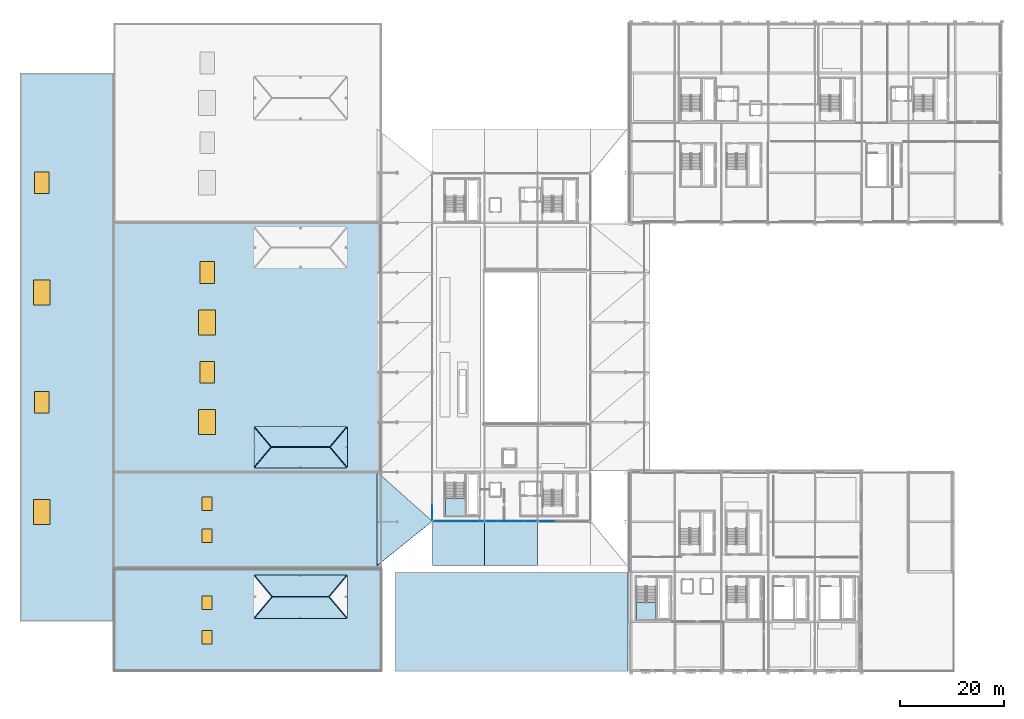
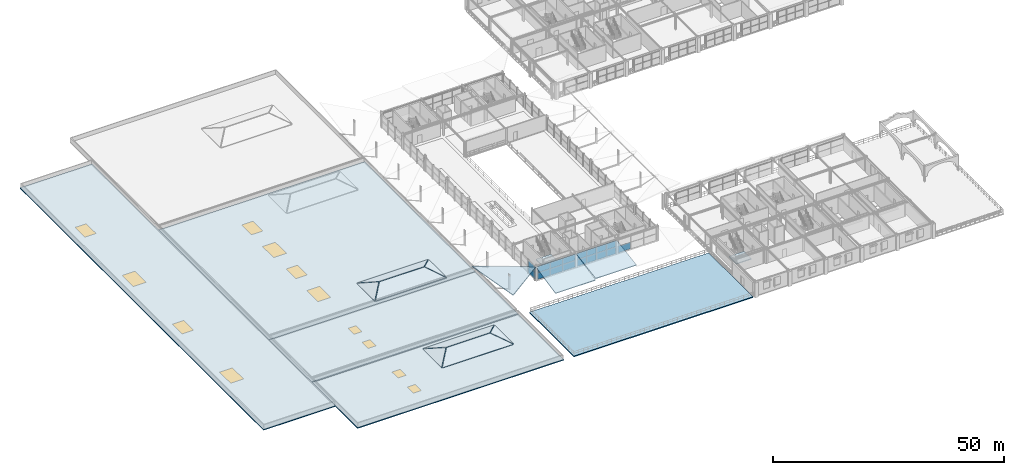
# One storey, part 34 of 81: 18 slabs, 17 plates, 12 windows, 12 openings, 6 elements without a shape of their own.
"""IFC4 building model written with IfcOpenShell, lengths in metres."""

from ifc_helpers import new_model, si_unit, direction, frame, origin, origin_2d, place, context, subcontext, project, spatial, polyline, rectangle, outline, extrude, material, layer, layer_set, type_object, element, fill, aggregate, save


model = new_model("IFC4")

# Units and contexts
model_context = context("Model", 3, precision=1e-05, world=origin(), true_north=direction((0.0, 1.0)))
body_context = subcontext(model_context, "Body", "Model", "MODEL_VIEW")
ifc_project = project(units=[si_unit("LENGTHUNIT", "METRE"), si_unit("AREAUNIT", "SQUARE_METRE"), si_unit("VOLUMEUNIT", "CUBIC_METRE"), si_unit("PLANEANGLEUNIT", "RADIAN"), si_unit("MASSUNIT", "GRAM", prefix="KILO")], contexts=[model_context])

# Site, building, storey
site_placement = place(None, origin())
site = spatial("IfcSite", under=ifc_project, at=site_placement, CompositionType="ELEMENT")
building_placement = place(site_placement, origin())
building = spatial("IfcBuilding", under=site, at=building_placement, Name="Myrtia Square Station", CompositionType="ELEMENT")
storey_placement = place(building_placement, frame((0.0, 0.0, 10.800048828125)))
storey = spatial("IfcBuildingStorey", under=building, at=storey_placement, Name="L02", CompositionType="ELEMENT", Elevation=10.800048828125)

# Curtain wall, plates
ifc_material_1 = material(Name="Dark bronze anodised aluminium", Category="aluminium")
ifc_layer_1 = layer(ifc_material_1, 0.159912109375, Name="Dark bronze anodised aluminium")
ifc_layer_set_1 = layer_set([ifc_layer_1], Name="Dark bronze anodised aluminium")
curtain_wall_type_1 = type_object("IfcCurtainWallType", Name="CW-TYPE-13-980x355", PredefinedType="USERDEFINED", material=ifc_layer_set_1)
curtain_wall_1_placement = place(storey_placement, origin())
curtain_wall_1 = element("IfcCurtainWall", 1, at=curtain_wall_1_placement, inside=storey, type_object=curtain_wall_type_1, Name="Concourse curtain wall CW-L02-049", ObjectType="CONCOURSE CURTAIN WALL", PredefinedType="USERDEFINED")
ifc_material_2 = material(Name="Tinted low-E solar control glass", Category="glass")
ifc_layer_2 = layer(ifc_material_2, 0.02392578125, Name="Tinted low-E solar control glass")
ifc_layer_set_2 = layer_set([ifc_layer_2], Name="Tinted low-E solar control glass")
plate_type_1 = type_object("IfcPlateType", Name="CWP-GLZ-24", PredefinedType="CURTAIN_PANEL", material=ifc_layer_set_2)
plate_1_placement = place(storey_placement, frame((90.840087890625, 28.949951171875, 0.06005859375), z_axis=(0.0, 0.0, 1.0), x_axis=(1.0, 0.0, 0.0)))
plate_1 = element("IfcPlate", 2, at=plate_1_placement, type_object=plate_type_1, Name="CW-049 panel 1.1", PredefinedType="CURTAIN_PANEL", context=body_context, shape_type="SweptSolid", body=[
    extrude(rectangle(XDim=2.360107421875, YDim=0.02392578125, at=origin_2d()), origin(), (0.0, 0.0, 1.0), 1.756103515625),
])
plate_2_placement = place(storey_placement, frame((90.840087890625, 28.949951171875, 1.8759765625), z_axis=(0.0, 0.0, 1.0), x_axis=(1.0, 0.0, 0.0)))
plate_2 = element("IfcPlate", 3, at=plate_2_placement, type_object=plate_type_1, Name="CW-049 panel 1.2", PredefinedType="CURTAIN_PANEL", context=body_context, shape_type="SweptSolid", body=[
    extrude(rectangle(XDim=2.360107421875, YDim=0.02392578125, at=origin_2d()), origin(), (0.0, 0.0, 1.0), 1.614013671875),
])
plate_3_placement = place(storey_placement, frame((93.27490234375, 28.949951171875, 0.06005859375), z_axis=(0.0, 0.0, 1.0), x_axis=(1.0, 0.0, 0.0)))
plate_3 = element("IfcPlate", 4, at=plate_3_placement, type_object=plate_type_1, Name="CW-049 panel 2.1", PredefinedType="CURTAIN_PANEL", context=body_context, shape_type="SweptSolid", body=[
    extrude(rectangle(XDim=2.389892578125, YDim=0.02392578125, at=origin_2d()), origin(), (0.0, 0.0, 1.0), 1.756103515625),
])
plate_4_placement = place(storey_placement, frame((93.27490234375, 28.949951171875, 1.8759765625), z_axis=(0.0, 0.0, 1.0), x_axis=(1.0, 0.0, 0.0)))
plate_4 = element("IfcPlate", 5, at=plate_4_placement, type_object=plate_type_1, Name="CW-049 panel 2.2", PredefinedType="CURTAIN_PANEL", context=body_context, shape_type="SweptSolid", body=[
    extrude(rectangle(XDim=2.389892578125, YDim=0.02392578125, at=origin_2d()), origin(), (0.0, 0.0, 1.0), 1.614013671875),
])
plate_5_placement = place(storey_placement, frame((95.72509765625, 28.949951171875, 0.06005859375), z_axis=(0.0, 0.0, 1.0), x_axis=(1.0, 0.0, 0.0)))
plate_5 = element("IfcPlate", 6, at=plate_5_placement, type_object=plate_type_1, Name="CW-049 panel 3.1", PredefinedType="CURTAIN_PANEL", context=body_context, shape_type="SweptSolid", body=[
    extrude(rectangle(XDim=2.389892578125, YDim=0.02392578125, at=origin_2d()), origin(), (0.0, 0.0, 1.0), 1.756103515625),
])
plate_6_placement = place(storey_placement, frame((95.72509765625, 28.949951171875, 1.8759765625), z_axis=(0.0, 0.0, 1.0), x_axis=(1.0, 0.0, 0.0)))
plate_6 = element("IfcPlate", 7, at=plate_6_placement, type_object=plate_type_1, Name="CW-049 panel 3.2", PredefinedType="CURTAIN_PANEL", context=body_context, shape_type="SweptSolid", body=[
    extrude(rectangle(XDim=2.389892578125, YDim=0.02392578125, at=origin_2d()), origin(), (0.0, 0.0, 1.0), 1.614013671875),
])
plate_7_placement = place(storey_placement, frame((98.159912109375, 28.949951171875, 0.06005859375), z_axis=(0.0, 0.0, 1.0), x_axis=(1.0, 0.0, 0.0)))
plate_7 = element("IfcPlate", 8, at=plate_7_placement, type_object=plate_type_1, Name="CW-049 panel 4.1", PredefinedType="CURTAIN_PANEL", context=body_context, shape_type="SweptSolid", body=[
    extrude(rectangle(XDim=2.360107421875, YDim=0.02392578125, at=origin_2d()), origin(), (0.0, 0.0, 1.0), 1.756103515625),
])
plate_8_placement = place(storey_placement, frame((98.159912109375, 28.949951171875, 1.8759765625), z_axis=(0.0, 0.0, 1.0), x_axis=(1.0, 0.0, 0.0)))
plate_8 = element("IfcPlate", 9, at=plate_8_placement, type_object=plate_type_1, Name="CW-049 panel 4.2", PredefinedType="CURTAIN_PANEL", context=body_context, shape_type="SweptSolid", body=[
    extrude(rectangle(XDim=2.360107421875, YDim=0.02392578125, at=origin_2d()), origin(), (0.0, 0.0, 1.0), 1.614013671875),
])
aggregate(curtain_wall_1, [plate_1, plate_2, plate_3, plate_4, plate_5, plate_6, plate_7, plate_8])

ifc_layer_3 = layer(ifc_material_1, 0.159912109375, Name="Dark bronze anodised aluminium")
ifc_layer_set_3 = layer_set([ifc_layer_3], Name="Dark bronze anodised aluminium")
curtain_wall_type_2 = type_object("IfcCurtainWallType", Name="CW-TYPE-05-890x341", PredefinedType="USERDEFINED", material=ifc_layer_set_3)
curtain_wall_2_placement = place(storey_placement, origin())
curtain_wall_2 = element("IfcCurtainWall", 10, at=curtain_wall_2_placement, inside=storey, type_object=curtain_wall_type_2, Name="Concourse curtain wall CW-L02-019", ObjectType="CONCOURSE CURTAIN WALL", PredefinedType="USERDEFINED")
ifc_layer_4 = layer(ifc_material_2, 0.028076171875, Name="Tinted low-E solar control glass")
ifc_layer_set_4 = layer_set([ifc_layer_4], Name="Tinted low-E solar control glass")
plate_type_2 = type_object("IfcPlateType", Name="CWP-GLZ-28", PredefinedType="CURTAIN_PANEL", material=ifc_layer_set_4)
plate_9_placement = place(storey_placement, frame((79.35009765625, 30.652099609375, 0.0751953125), z_axis=(0.0, 0.0, 1.0), x_axis=(0.0, 1.0, 0.0)))
plate_9 = element("IfcPlate", 11, at=plate_9_placement, type_object=plate_type_2, Name="CW-019 panel 1.1", PredefinedType="CURTAIN_PANEL", context=body_context, shape_type="SweptSolid", body=[
    extrude(rectangle(XDim=2.854248046875, YDim=0.028076171875, at=origin_2d()), origin(), (0.0, 0.0, 1.0), 1.660400390625),
])
plate_10_placement = place(storey_placement, frame((79.35009765625, 30.652099609375, 1.810546875), z_axis=(0.0, 0.0, 1.0), x_axis=(0.0, 1.0, 0.0)))
plate_10 = element("IfcPlate", 12, at=plate_10_placement, type_object=plate_type_2, Name="CW-019 panel 1.2", PredefinedType="CURTAIN_PANEL", context=body_context, shape_type="SweptSolid", body=[
    extrude(rectangle(XDim=2.854248046875, YDim=0.028076171875, at=origin_2d()), origin(), (0.0, 0.0, 1.0), 1.5244140625),
])
aggregate(curtain_wall_2, [plate_9, plate_10])

ifc_layer_5 = layer(ifc_material_1, 0.159912109375, Name="Dark bronze anodised aluminium")
ifc_layer_set_5 = layer_set([ifc_layer_5], Name="Dark bronze anodised aluminium")
curtain_wall_type_3 = type_object("IfcCurtainWallType", Name="CW-TYPE-12-950x355", PredefinedType="USERDEFINED", material=ifc_layer_set_5)
curtain_wall_3_placement = place(storey_placement, origin())
curtain_wall_3 = element("IfcCurtainWall", 13, at=curtain_wall_3_placement, inside=storey, type_object=curtain_wall_type_3, Name="Concourse curtain wall CW-L02-047", ObjectType="CONCOURSE CURTAIN WALL", PredefinedType="USERDEFINED")
ifc_layer_6 = layer(ifc_material_2, 0.031982421875, Name="Tinted low-E solar control glass")
ifc_layer_set_6 = layer_set([ifc_layer_6], Name="Tinted low-E solar control glass")
plate_type_3 = type_object("IfcPlateType", Name="CWP-GLZ-32", PredefinedType="CURTAIN_PANEL", material=ifc_layer_set_6)
plate_11_placement = place(storey_placement, frame((81.29833984375, 28.949951171875, 0.06005859375), z_axis=(0.0, 0.0, 1.0), x_axis=(1.0, 0.0, 0.0)))
plate_11 = element("IfcPlate", 14, at=plate_11_placement, type_object=plate_type_3, Name="CW-047 panel 1.1", PredefinedType="CURTAIN_PANEL", context=body_context, shape_type="SweptSolid", body=[
    extrude(rectangle(XDim=3.07666015625, YDim=0.031982421875, at=origin_2d()), origin(), (0.0, 0.0, 1.0), 1.756103515625),
])
plate_12_placement = place(storey_placement, frame((81.29833984375, 28.949951171875, 1.8759765625), z_axis=(0.0, 0.0, 1.0), x_axis=(1.0, 0.0, 0.0)))
plate_12 = element("IfcPlate", 15, at=plate_12_placement, type_object=plate_type_3, Name="CW-047 panel 1.2", PredefinedType="CURTAIN_PANEL", context=body_context, shape_type="SweptSolid", body=[
    extrude(rectangle(XDim=3.07666015625, YDim=0.031982421875, at=origin_2d()), origin(), (0.0, 0.0, 1.0), 1.614013671875),
])
plate_13_placement = place(storey_placement, frame((84.449951171875, 28.949951171875, 0.06005859375), z_axis=(0.0, 0.0, 1.0), x_axis=(1.0, 0.0, 0.0)))
plate_13 = element("IfcPlate", 16, at=plate_13_placement, type_object=plate_type_3, Name="CW-047 panel 2.1", PredefinedType="CURTAIN_PANEL", context=body_context, shape_type="SweptSolid", body=[
    extrude(rectangle(XDim=3.106689453125, YDim=0.031982421875, at=origin_2d()), origin(), (0.0, 0.0, 1.0), 1.756103515625),
])
plate_14_placement = place(storey_placement, frame((84.449951171875, 28.949951171875, 1.8759765625), z_axis=(0.0, 0.0, 1.0), x_axis=(1.0, 0.0, 0.0)))
plate_14 = element("IfcPlate", 17, at=plate_14_placement, type_object=plate_type_3, Name="CW-047 panel 2.2", PredefinedType="CURTAIN_PANEL", context=body_context, shape_type="SweptSolid", body=[
    extrude(rectangle(XDim=3.106689453125, YDim=0.031982421875, at=origin_2d()), origin(), (0.0, 0.0, 1.0), 1.614013671875),
])
plate_15_placement = place(storey_placement, frame((87.6015625, 28.949951171875, 0.06005859375), z_axis=(0.0, 0.0, 1.0), x_axis=(1.0, 0.0, 0.0)))
plate_15 = element("IfcPlate", 18, at=plate_15_placement, type_object=plate_type_3, Name="CW-047 panel 3.1", PredefinedType="CURTAIN_PANEL", context=body_context, shape_type="SweptSolid", body=[
    extrude(rectangle(XDim=3.07666015625, YDim=0.031982421875, at=origin_2d()), origin(), (0.0, 0.0, 1.0), 1.756103515625),
])
plate_16_placement = place(storey_placement, frame((87.6015625, 28.949951171875, 1.8759765625), z_axis=(0.0, 0.0, 1.0), x_axis=(1.0, 0.0, 0.0)))
plate_16 = element("IfcPlate", 19, at=plate_16_placement, type_object=plate_type_3, Name="CW-047 panel 3.2", PredefinedType="CURTAIN_PANEL", context=body_context, shape_type="SweptSolid", body=[
    extrude(rectangle(XDim=3.07666015625, YDim=0.031982421875, at=origin_2d()), origin(), (0.0, 0.0, 1.0), 1.614013671875),
])
aggregate(curtain_wall_3, [plate_11, plate_12, plate_13, plate_14, plate_15, plate_16])

# Curtain wall, plate
ifc_layer_7 = layer(ifc_material_1, 0.159912109375, Name="Dark bronze anodised aluminium")
ifc_layer_set_7 = layer_set([ifc_layer_7], Name="Dark bronze anodised aluminium")
curtain_wall_type_4 = type_object("IfcCurtainWallType", Name="CW-TYPE-14-965x355", PredefinedType="USERDEFINED", material=ifc_layer_set_7)
curtain_wall_4_placement = place(storey_placement, origin())
curtain_wall_4 = element("IfcCurtainWall", 20, at=curtain_wall_4_placement, inside=storey, type_object=curtain_wall_type_4, Name="Concourse curtain wall CW-L02-051", ObjectType="CONCOURSE CURTAIN WALL", PredefinedType="USERDEFINED")
plate_17_placement = place(storey_placement, frame((101.42333984375, 28.949951171875, 0.06005859375), z_axis=(0.0, 0.0, 1.0), x_axis=(1.0, 0.0, 0.0)))
plate_17 = element("IfcPlate", 21, at=plate_17_placement, type_object=plate_type_3, Name="CW-051 panel 1.1", PredefinedType="CURTAIN_PANEL", context=body_context, shape_type="SweptSolid", body=[
    extrude(rectangle(XDim=3.126708984375, YDim=0.031982421875, at=origin_2d()), origin(), (0.0, 0.0, 1.0), 1.756103515625),
])
aggregate(curtain_wall_4, [plate_17])

# Slabs
ifc_material_3 = material(Name="Concrete C35/45", Category="concrete")
ifc_layer_8 = layer(ifc_material_3, 0.175048828125, Name="Concrete C35/45")
ifc_layer_set_8 = layer_set([ifc_layer_8], Name="Concrete C35/45")
slab_type_1 = type_object("IfcSlabType", Name="SLB-FOLD-175", PredefinedType="ROOF", material=ifc_layer_set_8)
slab_1_placement = place(storey_placement, frame((68.75, 20.39990234375, 4.990966796875), z_axis=(-0.009149571269, 0.177196782596, 0.984132910527), x_axis=(0.774035715203, 0.624337942377, -0.105218084461)))
element("IfcSlab", 22, at=slab_1_placement, inside=storey, type_object=slab_type_1, Name="Lower folded wrap roof SW upturned corner", PredefinedType="ROOF", context=body_context, shape_type="SweptSolid", body=[
    extrude(outline(polyline([(0.0, 0.0), (13.694584691695658, 1.4988010832439613e-15), (11.579091280960572, 14.157277665060787), (0.0, 0.0)])), origin(), (0.0, 0.0, -1.0), 0.175048828125),
])
slab_2_placement = place(storey_placement, frame((79.35009765625, 20.39990234375, 1.75), z_axis=(0.0, -0.206014705666, 0.978548895584), x_axis=(1.0, 0.0, 0.0)))
element("IfcSlab", 23, at=slab_2_placement, inside=storey, type_object=slab_type_1, Name="Lower folded wrap roof south gable 1", PredefinedType="ROOF", context=body_context, shape_type="SweptSolid", body=[
    extrude(outline(polyline([(0.0, 0.0), (10.0498046875, 0.0), (10.0498046875, 8.737477367464585), (0.0, 8.737477367464585), (0.0, 0.0)])), origin(), (0.0, 0.0, -1.0), 0.175048828125),
])
slab_3_placement = place(storey_placement, frame((89.39990234375, 20.39990234375, 2.14990234375), z_axis=(0.0, -0.161606327064, 0.986855306037), x_axis=(1.0, 0.0, 0.0)))
element("IfcSlab", 24, at=slab_3_placement, inside=storey, type_object=slab_type_1, Name="Lower folded wrap roof south gable 2", PredefinedType="ROOF", context=body_context, shape_type="SweptSolid", body=[
    extrude(outline(polyline([(0.0, 0.0), (10.2001953125, 0.0), (10.2001953125, 8.663933583599851), (0.0, 8.663933583599851), (0.0, 0.0)])), origin(), (0.0, 0.0, -1.0), 0.175048828125),
])
ifc_layer_9 = layer(ifc_material_3, 0.18505859375, Name="Concrete C35/45")
ifc_layer_set_9 = layer_set([ifc_layer_9], Name="Concrete C35/45")
slab_type_2 = type_object("IfcSlabType", Name="SLB-HIP-185", PredefinedType="ROOF", material=ifc_layer_set_9)
for number, where, z_axis, x_axis, name in (
    (25, (45.111083984375, 10.199951171875, 0.19189453125), (0.0, -0.365288378546, 0.930894408888), (1.0, 0.0, 0.0), "Spanish terracotta hipped roof MON-V1-1 S"),
    (26, (62.888916015625, 18.60009765625, 0.19189453125), (0.0, 0.365288378546, 0.930894408888), (-1.0, 0.0, 0.0), "Spanish terracotta hipped roof MON-V1-1 N"),
):
    element("IfcSlab", number, at=place(storey_placement, frame(where, z_axis=z_axis, x_axis=x_axis)), inside=storey, type_object=slab_type_2, Name=name, PredefinedType="ROOF", context=body_context, shape_type="SweptSolid", body=[
        extrude(outline(polyline([(0.0, 0.0), (17.77783203125, 0.0), (14.3212890625, 4.420469384158485), (3.45654296875, 4.420469384158485), (0.0, 0.0)])), origin(), (0.0, 0.0, -1.0), 0.18505859375),
    ])
slab_4_placement = place(storey_placement, frame((45.0, 18.4677734375, 0.19189453125), z_axis=(-0.423232731331, 0.0, 0.906021001484), x_axis=(0.0, -1.0, 0.0)))
element("IfcSlab", 27, at=slab_4_placement, inside=storey, type_object=slab_type_2, Name="Spanish terracotta hipped roof MON-V1-1 W", PredefinedType="ROOF", context=body_context, shape_type="SweptSolid", body=[
    extrude(outline(polyline([(0.0, 0.0), (8.135498046875, 0.0), (4.06787109375, 3.7714271323760697), (0.0, 0.0)])), origin(), (0.0, 0.0, -1.0), 0.18505859375),
])
slab_5_placement = place(storey_placement, frame((63.0, 10.332275390625, 0.19189453125), z_axis=(0.423232731331, 0.0, 0.906021001484), x_axis=(0.0, 1.0, 0.0)))
element("IfcSlab", 28, at=slab_5_placement, inside=storey, type_object=slab_type_2, Name="Spanish terracotta hipped roof MON-V1-1 E", PredefinedType="ROOF", context=body_context, shape_type="SweptSolid", body=[
    extrude(outline(polyline([(0.0, 0.0), (8.135498046875, 0.0), (4.067626953125, 3.7714271323760697), (0.0, 0.0)])), origin(), (0.0, 0.0, -1.0), 0.18505859375),
])
for number, where, z_axis, x_axis, name in (
    (29, (45.111083984375, 39.199951171875, 0.19189453125), (0.0, -0.380944092894, 0.924598073808), (1.0, 0.0, 0.0), "Spanish terracotta hipped roof MON-V1-2 S"),
    (30, (62.888916015625, 47.199951171875, 0.19189453125), (0.0, 0.380944092894, 0.924598073808), (-1.0, 0.0, 0.0), "Spanish terracotta hipped roof MON-V1-2 N"),
):
    element("IfcSlab", number, at=place(storey_placement, frame(where, z_axis=z_axis, x_axis=x_axis)), inside=storey, type_object=slab_type_2, Name=name, PredefinedType="ROOF", context=body_context, shape_type="SweptSolid", body=[
        extrude(outline(polyline([(0.0, 0.0), (17.77783203125, 0.0), (14.4892578125, 4.23431453450517), (3.28857421875, 4.23431453450517), (0.0, 0.0)])), origin(), (0.0, 0.0, -1.0), 0.18505859375),
    ])
slab_6_placement = place(storey_placement, frame((45.0, 47.06787109375, 0.19189453125), z_axis=(-0.440400369872, 0.0, 0.897801489315), x_axis=(0.0, -1.0, 0.0)))
element("IfcSlab", 31, at=slab_6_placement, inside=storey, type_object=slab_type_2, Name="Spanish terracotta hipped roof MON-V1-2 W", PredefinedType="ROOF", context=body_context, shape_type="SweptSolid", body=[
    extrude(outline(polyline([(0.0, 0.0), (7.735595703125, 0.0), (3.867919921875, 3.6188661704910166), (0.0, 0.0)])), origin(), (0.0, 0.0, -1.0), 0.18505859375),
])
slab_7_placement = place(storey_placement, frame((63.0, 39.332275390625, 0.19189453125), z_axis=(0.440400369872, 0.0, 0.897801489315), x_axis=(0.0, 1.0, 0.0)))
element("IfcSlab", 32, at=slab_7_placement, inside=storey, type_object=slab_type_2, Name="Spanish terracotta hipped roof MON-V1-2 E", PredefinedType="ROOF", context=body_context, shape_type="SweptSolid", body=[
    extrude(outline(polyline([(0.0, 0.0), (7.735595703125, 0.0), (3.86767578125, 3.6188661704910166), (0.0, 0.0)])), origin(), (0.0, 0.0, -1.0), 0.18505859375),
])

# Stair, slab
stair_type = type_object("IfcStairType", Name="STR-04-24R-1800W", PredefinedType="HALF_TURN_STAIR", material=ifc_material_3)
stair_1_placement = place(storey_placement, origin())
stair_1 = element("IfcStair", 33, at=stair_1_placement, inside=storey, type_object=stair_type, Name="L02 Core escape stair ST01", PredefinedType="HALF_TURN_STAIR")
ifc_layer_10 = layer(ifc_material_3, 0.199951171875, Name="Concrete C35/45")
ifc_layer_set_10 = layer_set([ifc_layer_10], Name="Concrete C35/45")
slab_type_3 = type_object("IfcSlabType", Name="SLB-LAND-200", PredefinedType="LANDING", material=ifc_layer_set_10)
slab_8_placement = place(storey_placement, frame((0.0, 0.0, 1.89990234375)))
slab_8 = element("IfcSlab", 34, at=slab_8_placement, type_object=slab_type_3, Name="ST01 landing 1", PredefinedType="LANDING", context=body_context, shape_type="SweptSolid", body=[
    extrude(outline(polyline([(81.85009765625, 33.27001953125), (81.85009765625, 30.050048828125), (85.610107421875, 30.050048828125), (85.610107421875, 33.27001953125), (81.85009765625, 33.27001953125)])), origin(), (0.0, 0.0, 1.0), 0.199951171875),
])
aggregate(stair_1, [slab_8])

stair_2_placement = place(storey_placement, origin())
stair_2 = element("IfcStair", 35, at=stair_2_placement, inside=storey, type_object=stair_type, Name="L02 Core escape stair ST05", PredefinedType="HALF_TURN_STAIR")
slab_9_placement = place(storey_placement, frame((0.0, 0.0, 1.89990234375)))
slab_9 = element("IfcSlab", 36, at=slab_9_placement, type_object=slab_type_3, Name="ST05 landing 1", PredefinedType="LANDING", context=body_context, shape_type="SweptSolid", body=[
    extrude(outline(polyline([(118.64990234375, 13.27001953125), (118.64990234375, 10.050048828125), (122.409912109375, 10.050048828125), (122.409912109375, 13.27001953125), (118.64990234375, 13.27001953125)])), origin(), (0.0, 0.0, 1.0), 0.199951171875),
])
aggregate(stair_2, [slab_9])

# Slab, openings, windows
ifc_layer_11 = layer(ifc_material_3, 0.2451171875, Name="Concrete C35/45")
ifc_layer_set_11 = layer_set([ifc_layer_11], Name="Concrete C35/45")
slab_type_4 = type_object("IfcSlabType", Name="SLB-ROOF-245", PredefinedType="ROOF", material=ifc_layer_set_11)
slab_10_placement = place(storey_placement, frame((0.0, 0.0, -0.2451171875)))
slab_10 = element("IfcSlab", 37, at=slab_10_placement, inside=storey, type_object=slab_type_4, Name="Flat roof deck ROOF-L02-V1W", PredefinedType="ROOF", context=body_context, shape_type="SweptSolid", body=[
    extrude(outline(polyline([(0.0, 9.60009765625), (18.0, 9.60009765625), (18.0, 115.199951171875), (0.0, 115.199951171875), (0.0, 9.60009765625)])), origin(), (0.0, 0.0, 1.0), 0.2451171875),
])
opening_1_placement = place(slab_10_placement, frame((4.199951171875, 30.719970703125, 0.0)))
opening_1 = element("IfcOpeningElement", 38, at=opening_1_placement, cuts=slab_10, Name="Opening SK-002", PredefinedType="OPENING", context=body_context, shape_type="SweptSolid", body=[
    extrude(rectangle(XDim=3.199951171875, YDim=4.800048828125, at=origin_2d()), frame((0.0, 0.0, -0.014892578125), z_axis=(0.0, 0.0, 1.0), x_axis=(1.0, 0.0, 0.0)), (0.0, 0.0, 1.0), 0.275146484375),
])
opening_2_placement = place(slab_10_placement, frame((4.199951171875, 51.840087890625, 0.0)))
opening_2 = element("IfcOpeningElement", 39, at=opening_2_placement, cuts=slab_10, Name="Opening SK-003", PredefinedType="OPENING", context=body_context, shape_type="SweptSolid", body=[
    extrude(rectangle(XDim=2.800048828125, YDim=4.199951171875, at=origin_2d()), frame((0.0, 0.0, -0.014892578125), z_axis=(0.0, 0.0, 1.0), x_axis=(1.0, 0.0, 0.0)), (0.0, 0.0, 1.0), 0.275146484375),
])
opening_3_placement = place(slab_10_placement, frame((4.199951171875, 72.9599609375, 0.0)))
opening_3 = element("IfcOpeningElement", 40, at=opening_3_placement, cuts=slab_10, Name="Opening SK-004", PredefinedType="OPENING", context=body_context, shape_type="SweptSolid", body=[
    extrude(rectangle(XDim=3.199951171875, YDim=4.800048828125, at=origin_2d()), frame((0.0, 0.0, -0.014892578125), z_axis=(0.0, 0.0, 1.0), x_axis=(1.0, 0.0, 0.0)), (0.0, 0.0, 1.0), 0.275146484375),
])
opening_4_placement = place(slab_10_placement, frame((4.199951171875, 94.080078125, 0.0)))
opening_4 = element("IfcOpeningElement", 41, at=opening_4_placement, cuts=slab_10, Name="Opening SK-005", PredefinedType="OPENING", context=body_context, shape_type="SweptSolid", body=[
    extrude(rectangle(XDim=2.800048828125, YDim=4.199951171875, at=origin_2d()), frame((0.0, 0.0, -0.014892578125), z_axis=(0.0, 0.0, 1.0), x_axis=(1.0, 0.0, 0.0)), (0.0, 0.0, 1.0), 0.275146484375),
])
window_type_1 = type_object("IfcWindowType", Name="SKY-SHED-2800x4200", PartitioningType="SINGLE_PANEL", PredefinedType="SKYLIGHT", material=ifc_material_2)
window_1_placement = place(opening_2_placement, frame((0.0, 0.0, 0.195068359375)))
window_1 = element("IfcWindow", 42, at=window_1_placement, inside=storey, type_object=window_type_1, Name="Train shed skylight SK-003", OverallHeight=4.199951171875, OverallWidth=2.800048828125, PartitioningType="SINGLE_PANEL", PredefinedType="SKYLIGHT", context=body_context, shape_type="SweptSolid", body=[
    extrude(rectangle(XDim=2.800048828125, YDim=4.199951171875, at=origin_2d()), origin(), (0.0, 0.0, 1.0), 0.050048828125),
])
fill(opening_2, window_1)
window_2_placement = place(opening_4_placement, frame((0.0, 0.0, 0.195068359375)))
window_2 = element("IfcWindow", 43, at=window_2_placement, inside=storey, type_object=window_type_1, Name="Train shed skylight SK-005", OverallHeight=4.199951171875, OverallWidth=2.800048828125, PartitioningType="SINGLE_PANEL", PredefinedType="SKYLIGHT", context=body_context, shape_type="SweptSolid", body=[
    extrude(rectangle(XDim=2.800048828125, YDim=4.199951171875, at=origin_2d()), origin(), (0.0, 0.0, 1.0), 0.050048828125),
])
fill(opening_4, window_2)
window_type_2 = type_object("IfcWindowType", Name="SKY-SHED-3200x4800", PartitioningType="SINGLE_PANEL", PredefinedType="SKYLIGHT", material=ifc_material_2)
window_3_placement = place(opening_1_placement, frame((0.0, 0.0, 0.195068359375)))
window_3 = element("IfcWindow", 44, at=window_3_placement, inside=storey, type_object=window_type_2, Name="Train shed skylight SK-002", OverallHeight=4.800048828125, OverallWidth=3.199951171875, PartitioningType="SINGLE_PANEL", PredefinedType="SKYLIGHT", context=body_context, shape_type="SweptSolid", body=[
    extrude(rectangle(XDim=3.199951171875, YDim=4.800048828125, at=origin_2d()), origin(), (0.0, 0.0, 1.0), 0.050048828125),
])
fill(opening_1, window_3)
window_4_placement = place(opening_3_placement, frame((0.0, 0.0, 0.195068359375)))
window_4 = element("IfcWindow", 45, at=window_4_placement, inside=storey, type_object=window_type_2, Name="Train shed skylight SK-004", OverallHeight=4.800048828125, OverallWidth=3.199951171875, PartitioningType="SINGLE_PANEL", PredefinedType="SKYLIGHT", context=body_context, shape_type="SweptSolid", body=[
    extrude(rectangle(XDim=3.199951171875, YDim=4.800048828125, at=origin_2d()), origin(), (0.0, 0.0, 1.0), 0.050048828125),
])
fill(opening_3, window_4)

slab_11_placement = place(storey_placement, frame((0.0, 0.0, -0.2451171875)))
slab_11 = element("IfcSlab", 46, at=slab_11_placement, inside=storey, type_object=slab_type_4, Name="Flat roof deck ROOF-L02-V1S", PredefinedType="ROOF", context=body_context, shape_type="SweptSolid", body=[
    extrude(outline(polyline([(18.0, 20.0), (69.64990234375, 20.0), (69.64990234375, 38.39990234375), (18.0, 38.39990234375), (18.0, 20.0)])), origin(), (0.0, 0.0, 1.0), 0.2451171875),
])
opening_5_placement = place(slab_11_placement, frame((36.0, 26.133056640625, 0.0)))
opening_5 = element("IfcOpeningElement", 47, at=opening_5_placement, cuts=slab_11, Name="Opening SK-006", PredefinedType="OPENING", context=body_context, shape_type="SweptSolid", body=[
    extrude(rectangle(XDim=2.0, YDim=2.60009765625, at=origin_2d()), frame((0.0, 0.0, -0.014892578125), z_axis=(0.0, 0.0, 1.0), x_axis=(1.0, 0.0, 0.0)), (0.0, 0.0, 1.0), 0.275146484375),
])
opening_6_placement = place(slab_11_placement, frame((36.0, 32.26708984375, 0.0)))
opening_6 = element("IfcOpeningElement", 48, at=opening_6_placement, cuts=slab_11, Name="Opening SK-007", PredefinedType="OPENING", context=body_context, shape_type="SweptSolid", body=[
    extrude(rectangle(XDim=2.0, YDim=2.60009765625, at=origin_2d()), frame((0.0, 0.0, -0.014892578125), z_axis=(0.0, 0.0, 1.0), x_axis=(1.0, 0.0, 0.0)), (0.0, 0.0, 1.0), 0.275146484375),
])
window_type_3 = type_object("IfcWindowType", Name="SKY-WING-2000x2600", PartitioningType="SINGLE_PANEL", PredefinedType="SKYLIGHT", material=ifc_material_2)
window_5_placement = place(opening_5_placement, frame((0.0, 0.0, 0.195068359375)))
window_5 = element("IfcWindow", 49, at=window_5_placement, inside=storey, type_object=window_type_3, Name="Train shed skylight SK-006", OverallHeight=2.60009765625, OverallWidth=2.0, PartitioningType="SINGLE_PANEL", PredefinedType="SKYLIGHT", context=body_context, shape_type="SweptSolid", body=[
    extrude(rectangle(XDim=2.0, YDim=2.60009765625, at=origin_2d()), origin(), (0.0, 0.0, 1.0), 0.050048828125),
])
fill(opening_5, window_5)
window_6_placement = place(opening_6_placement, frame((0.0, 0.0, 0.195068359375)))
window_6 = element("IfcWindow", 50, at=window_6_placement, inside=storey, type_object=window_type_3, Name="Train shed skylight SK-007", OverallHeight=2.60009765625, OverallWidth=2.0, PartitioningType="SINGLE_PANEL", PredefinedType="SKYLIGHT", context=body_context, shape_type="SweptSolid", body=[
    extrude(rectangle(XDim=2.0, YDim=2.60009765625, at=origin_2d()), origin(), (0.0, 0.0, 1.0), 0.050048828125),
])
fill(opening_6, window_6)

slab_12_placement = place(storey_placement, frame((0.0, 0.0, -0.2451171875)))
slab_12 = element("IfcSlab", 51, at=slab_12_placement, inside=storey, type_object=slab_type_4, Name="Flat roof deck ROOF-L02-V1S0", PredefinedType="ROOF", context=body_context, shape_type="SweptSolid", body=[
    extrude(outline(polyline([(18.0, 0.0), (69.64990234375, 0.0), (69.64990234375, 19.800048828125), (18.0, 19.800048828125), (18.0, 0.0)])), origin(), (0.0, 0.0, 1.0), 0.2451171875),
])
opening_7_placement = place(slab_12_placement, frame((36.0, 6.60009765625, 0.0)))
opening_7 = element("IfcOpeningElement", 52, at=opening_7_placement, cuts=slab_12, Name="Opening SK-008", PredefinedType="OPENING", context=body_context, shape_type="SweptSolid", body=[
    extrude(rectangle(XDim=2.0, YDim=2.60009765625, at=origin_2d()), frame((0.0, 0.0, -0.014892578125), z_axis=(0.0, 0.0, 1.0), x_axis=(1.0, 0.0, 0.0)), (0.0, 0.0, 1.0), 0.275146484375),
])
opening_8_placement = place(slab_12_placement, frame((36.0, 13.199951171875, 0.0)))
opening_8 = element("IfcOpeningElement", 53, at=opening_8_placement, cuts=slab_12, Name="Opening SK-009", PredefinedType="OPENING", context=body_context, shape_type="SweptSolid", body=[
    extrude(rectangle(XDim=2.0, YDim=2.60009765625, at=origin_2d()), frame((0.0, 0.0, -0.014892578125), z_axis=(0.0, 0.0, 1.0), x_axis=(1.0, 0.0, 0.0)), (0.0, 0.0, 1.0), 0.275146484375),
])
window_7_placement = place(opening_7_placement, frame((0.0, 0.0, 0.195068359375)))
window_7 = element("IfcWindow", 54, at=window_7_placement, inside=storey, type_object=window_type_3, Name="Train shed skylight SK-008", OverallHeight=2.60009765625, OverallWidth=2.0, PartitioningType="SINGLE_PANEL", PredefinedType="SKYLIGHT", context=body_context, shape_type="SweptSolid", body=[
    extrude(rectangle(XDim=2.0, YDim=2.60009765625, at=origin_2d()), origin(), (0.0, 0.0, 1.0), 0.050048828125),
])
fill(opening_7, window_7)
window_8_placement = place(opening_8_placement, frame((0.0, 0.0, 0.195068359375)))
window_8 = element("IfcWindow", 55, at=window_8_placement, inside=storey, type_object=window_type_3, Name="Train shed skylight SK-009", OverallHeight=2.60009765625, OverallWidth=2.0, PartitioningType="SINGLE_PANEL", PredefinedType="SKYLIGHT", context=body_context, shape_type="SweptSolid", body=[
    extrude(rectangle(XDim=2.0, YDim=2.60009765625, at=origin_2d()), origin(), (0.0, 0.0, 1.0), 0.050048828125),
])
fill(opening_8, window_8)

slab_13_placement = place(storey_placement, frame((0.0, 0.0, -0.2451171875)))
slab_13 = element("IfcSlab", 56, at=slab_13_placement, inside=storey, type_object=slab_type_4, Name="Flat roof deck ROOF-L02-V1M", PredefinedType="ROOF", context=body_context, shape_type="SweptSolid", body=[
    extrude(outline(polyline([(18.0, 38.39990234375), (69.64990234375, 38.39990234375), (69.64990234375, 86.39990234375), (18.0, 86.39990234375), (18.0, 38.39990234375)])), origin(), (0.0, 0.0, 1.0), 0.2451171875),
])
opening_9_placement = place(slab_13_placement, frame((36.0, 48.0, 0.0)))
opening_9 = element("IfcOpeningElement", 57, at=opening_9_placement, cuts=slab_13, Name="Opening SK-010", PredefinedType="OPENING", context=body_context, shape_type="SweptSolid", body=[
    extrude(rectangle(XDim=3.199951171875, YDim=4.800048828125, at=origin_2d()), frame((0.0, 0.0, -0.014892578125), z_axis=(0.0, 0.0, 1.0), x_axis=(1.0, 0.0, 0.0)), (0.0, 0.0, 1.0), 0.275146484375),
])
opening_10_placement = place(slab_13_placement, frame((36.0, 57.60009765625, 0.0)))
opening_10 = element("IfcOpeningElement", 58, at=opening_10_placement, cuts=slab_13, Name="Opening SK-011", PredefinedType="OPENING", context=body_context, shape_type="SweptSolid", body=[
    extrude(rectangle(XDim=2.800048828125, YDim=4.199951171875, at=origin_2d()), frame((0.0, 0.0, -0.014892578125), z_axis=(0.0, 0.0, 1.0), x_axis=(1.0, 0.0, 0.0)), (0.0, 0.0, 1.0), 0.275146484375),
])
opening_11_placement = place(slab_13_placement, frame((36.0, 67.199951171875, 0.0)))
opening_11 = element("IfcOpeningElement", 59, at=opening_11_placement, cuts=slab_13, Name="Opening SK-012", PredefinedType="OPENING", context=body_context, shape_type="SweptSolid", body=[
    extrude(rectangle(XDim=3.199951171875, YDim=4.800048828125, at=origin_2d()), frame((0.0, 0.0, -0.014892578125), z_axis=(0.0, 0.0, 1.0), x_axis=(1.0, 0.0, 0.0)), (0.0, 0.0, 1.0), 0.275146484375),
])
opening_12_placement = place(slab_13_placement, frame((36.0, 76.800048828125, 0.0)))
opening_12 = element("IfcOpeningElement", 60, at=opening_12_placement, cuts=slab_13, Name="Opening SK-013", PredefinedType="OPENING", context=body_context, shape_type="SweptSolid", body=[
    extrude(rectangle(XDim=2.800048828125, YDim=4.199951171875, at=origin_2d()), frame((0.0, 0.0, -0.014892578125), z_axis=(0.0, 0.0, 1.0), x_axis=(1.0, 0.0, 0.0)), (0.0, 0.0, 1.0), 0.275146484375),
])
window_9_placement = place(opening_10_placement, frame((0.0, 0.0, 0.195068359375)))
window_9 = element("IfcWindow", 61, at=window_9_placement, inside=storey, type_object=window_type_1, Name="Train shed skylight SK-011", OverallHeight=4.199951171875, OverallWidth=2.800048828125, PartitioningType="SINGLE_PANEL", PredefinedType="SKYLIGHT", context=body_context, shape_type="SweptSolid", body=[
    extrude(rectangle(XDim=2.800048828125, YDim=4.199951171875, at=origin_2d()), origin(), (0.0, 0.0, 1.0), 0.050048828125),
])
fill(opening_10, window_9)
window_10_placement = place(opening_12_placement, frame((0.0, 0.0, 0.195068359375)))
window_10 = element("IfcWindow", 62, at=window_10_placement, inside=storey, type_object=window_type_1, Name="Train shed skylight SK-013", OverallHeight=4.199951171875, OverallWidth=2.800048828125, PartitioningType="SINGLE_PANEL", PredefinedType="SKYLIGHT", context=body_context, shape_type="SweptSolid", body=[
    extrude(rectangle(XDim=2.800048828125, YDim=4.199951171875, at=origin_2d()), origin(), (0.0, 0.0, 1.0), 0.050048828125),
])
fill(opening_12, window_10)
window_11_placement = place(opening_9_placement, frame((0.0, 0.0, 0.195068359375)))
window_11 = element("IfcWindow", 63, at=window_11_placement, inside=storey, type_object=window_type_2, Name="Train shed skylight SK-010", OverallHeight=4.800048828125, OverallWidth=3.199951171875, PartitioningType="SINGLE_PANEL", PredefinedType="SKYLIGHT", context=body_context, shape_type="SweptSolid", body=[
    extrude(rectangle(XDim=3.199951171875, YDim=4.800048828125, at=origin_2d()), origin(), (0.0, 0.0, 1.0), 0.050048828125),
])
fill(opening_9, window_11)
window_12_placement = place(opening_11_placement, frame((0.0, 0.0, 0.195068359375)))
window_12 = element("IfcWindow", 64, at=window_12_placement, inside=storey, type_object=window_type_2, Name="Train shed skylight SK-012", OverallHeight=4.800048828125, OverallWidth=3.199951171875, PartitioningType="SINGLE_PANEL", PredefinedType="SKYLIGHT", context=body_context, shape_type="SweptSolid", body=[
    extrude(rectangle(XDim=3.199951171875, YDim=4.800048828125, at=origin_2d()), origin(), (0.0, 0.0, 1.0), 0.050048828125),
])
fill(opening_11, window_12)

# Slab
ifc_layer_12 = layer(ifc_material_3, 0.264892578125, Name="Concrete C35/45")
ifc_layer_set_12 = layer_set([ifc_layer_12], Name="Concrete C35/45")
slab_type_5 = type_object("IfcSlabType", Name="SLB-TER-265", PredefinedType="FLOOR", material=ifc_layer_set_12)
slab_14_placement = place(storey_placement, frame((0.0, 0.0, -0.26513671875)))
element("IfcSlab", 65, at=slab_14_placement, inside=storey, type_object=slab_type_5, Name="Citrus Patio Roof Terrace", PredefinedType="FLOOR", context=body_context, shape_type="SweptSolid", body=[
    extrude(outline(polyline([(72.14990234375, 0.0), (117.0, 0.0), (117.0, 19.199951171875), (72.14990234375, 19.199951171875), (72.14990234375, 0.0)])), origin(), (0.0, 0.0, 1.0), 0.26513671875),
])

save(model, "model.ifc")
